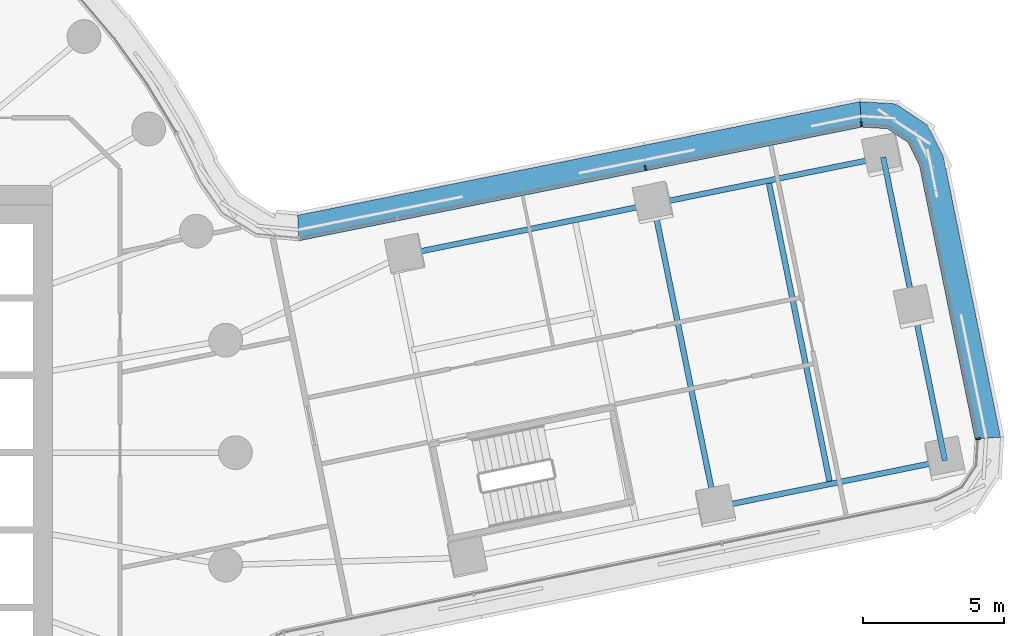
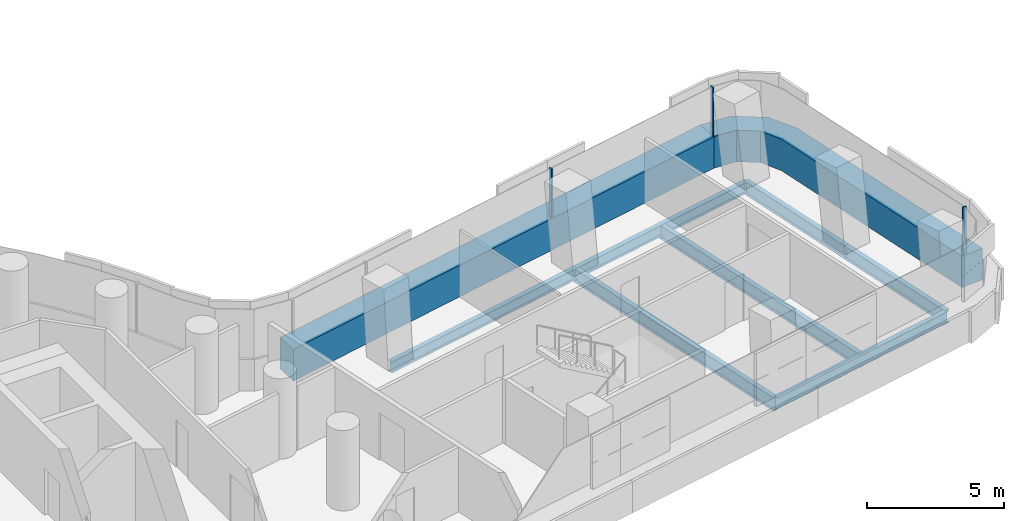
# One storey, part 12 of 31: 7 beams, 5 members, 2 elements without a shape of their own.
"""IFC4 building model written with IfcOpenShell, lengths in metres."""

from ifc_helpers import new_model, si_unit, direction, frame, origin, origin_2d, place, context, subcontext, project, spatial, polyline, rectangle, i_section, outline, extrude, material, layer, layer_set, material_profile, profile_set, type_object, element, aggregate, save


model = new_model("IFC4")

# Units and contexts
model_context = context("Model", 3, precision=1e-05, world=origin(), true_north=direction((0.0, 1.0)))
body_context = subcontext(model_context, "Body", "Model", "MODEL_VIEW")
ifc_project = project(units=[si_unit("LENGTHUNIT", "METRE"), si_unit("AREAUNIT", "SQUARE_METRE"), si_unit("VOLUMEUNIT", "CUBIC_METRE"), si_unit("PLANEANGLEUNIT", "RADIAN"), si_unit("MASSUNIT", "GRAM", prefix="KILO")], contexts=[model_context])

# Site, building, storey
site_placement = place(None, origin())
site = spatial("IfcSite", under=ifc_project, at=site_placement, CompositionType="ELEMENT")
building_placement = place(site_placement, origin())
building = spatial("IfcBuilding", under=site, at=building_placement, Name="Tamarind Cross Interchange Tower", CompositionType="ELEMENT")
storey_placement = place(building_placement, frame((0.0, 0.0, 75.25)))
storey = spatial("IfcBuildingStorey", under=building, at=storey_placement, Name="L17", CompositionType="ELEMENT", Elevation=75.25)

# Beams
ifc_material_1 = material(Name="Steel Q355B", Category="steel")
ifc_material_profile_1 = material_profile(ifc_material_1, i_section(OverallWidth=0.198974609375, OverallDepth=0.49609375, WebThickness=0.009033203125, FlangeThickness=0.013916015625, FilletRadius=0.012939453125, at=origin_2d()), Name="HN 496x199x9x14")
ifc_profile_set_1 = profile_set([ifc_material_profile_1], Name="Steel Q355B")
beam_type_1 = type_object("IfcBeamType", Name="Composite beam HN 496x199x9x14 Q355B", PredefinedType="BEAM", material=ifc_profile_set_1)
beam_1_placement = place(storey_placement, frame((48.2099609375, -0.283447265625, -0.387939453125), z_axis=(-0.979946462747, -0.199260959921, 0.0), x_axis=(0.199260959921, -0.979946462747, 0.0)))
element("IfcBeam", 1, at=beam_1_placement, inside=storey, type_object=beam_type_1, Name="Beam E-edgeem5", PredefinedType="BEAM", context=body_context, shape_type="SweptSolid", body=[
    extrude(i_section(OverallWidth=0.198974609375, OverallDepth=0.49609375, WebThickness=0.009033203125, FlangeThickness=0.013916015625, FilletRadius=0.012939453125, at=origin_2d()), origin(), (0.0, 0.0, 1.0), 8.327880859375),
])
beam_2_placement = place(storey_placement, frame((46.018310546875, 10.49609375, -0.387939453125), z_axis=(-0.979947626688, -0.199255235689, 0.0), x_axis=(0.199255235689, -0.979947626688, 0.0)))
element("IfcBeam", 2, at=beam_2_placement, inside=storey, type_object=beam_type_1, Name="Beam E-edgeep2", PredefinedType="BEAM", context=body_context, shape_type="SweptSolid", body=[
    extrude(i_section(OverallWidth=0.198974609375, OverallDepth=0.49609375, WebThickness=0.009033203125, FlangeThickness=0.013916015625, FilletRadius=0.012939453125, at=origin_2d()), origin(), (0.0, 0.0, 1.0), 8.328125),
])
beam_3_placement = place(storey_placement, frame((37.857177734375, 8.836669921875, -0.387939453125), z_axis=(-0.979948604035, -0.199250428984, 0.0), x_axis=(0.199250428984, -0.979948604035, 0.0)))
element("IfcBeam", 3, at=beam_3_placement, inside=storey, type_object=beam_type_1, Name="Beam E-edgeep3", PredefinedType="BEAM", context=body_context, shape_type="SweptSolid", body=[
    extrude(i_section(OverallWidth=0.198974609375, OverallDepth=0.49609375, WebThickness=0.009033203125, FlangeThickness=0.013916015625, FilletRadius=0.012939453125, at=origin_2d()), origin(), (0.0, 0.0, 1.0), 8.999755859375),
])
ifc_material_profile_2 = material_profile(ifc_material_1, i_section(OverallWidth=0.199951171875, OverallDepth=0.60009765625, WebThickness=0.010986328125, FlangeThickness=0.01708984375, FilletRadius=0.012939453125, at=origin_2d()), Name="HN 600x200x11x17")
ifc_profile_set_2 = profile_set([ifc_material_profile_2], Name="Steel Q355B")
beam_type_2 = type_object("IfcBeamType", Name="Composite beam HN 600x200x11x17 Q355B", PredefinedType="BEAM", material=ifc_profile_set_2)
beam_4_placement = place(storey_placement, frame((48.2099609375, -0.283447265625, -0.43994140625), z_axis=(-0.199222452549, 0.979954291995, 0.0), x_axis=(-0.979954291995, -0.199222452549, 0.0)))
element("IfcBeam", 4, at=beam_4_placement, inside=storey, type_object=beam_type_2, Name="Beam E-tip0", PredefinedType="BEAM", context=body_context, shape_type="SweptSolid", body=[
    extrude(i_section(OverallWidth=0.199951171875, OverallDepth=0.60009765625, WebThickness=0.010986328125, FlangeThickness=0.01708984375, FilletRadius=0.012939453125, at=origin_2d()), origin(), (0.0, 0.0, 1.0), 5.5),
])
beam_5_placement = place(storey_placement, frame((47.1142578125, 5.106201171875, -0.43994140625), z_axis=(-0.199256412643, 0.979947387374, 0.0), x_axis=(-0.979947387374, -0.199256412643, 0.0)))
element("IfcBeam", 5, at=beam_5_placement, inside=storey, type_object=beam_type_2, Name="Beam E-tip1", PredefinedType="BEAM", context=body_context, shape_type="SweptSolid", body=[
    extrude(i_section(OverallWidth=0.199951171875, OverallDepth=0.60009765625, WebThickness=0.010986328125, FlangeThickness=0.01708984375, FilletRadius=0.012939453125, at=origin_2d()), origin(), (0.0, 0.0, 1.0), 5.500244140625),
])
beam_6_placement = place(storey_placement, frame((40.049072265625, -1.94287109375, -0.43994140625), z_axis=(-0.199260746325, 0.97994650618, 0.0), x_axis=(-0.97994650618, -0.199260746325, 0.0)))
element("IfcBeam", 6, at=beam_6_placement, inside=storey, type_object=beam_type_2, Name="Beam E-x393", PredefinedType="BEAM", context=body_context, shape_type="SweptSolid", body=[
    extrude(i_section(OverallWidth=0.199951171875, OverallDepth=0.60009765625, WebThickness=0.010986328125, FlangeThickness=0.01708984375, FilletRadius=0.012939453125, at=origin_2d()), origin(), (0.0, 0.0, 1.0), 11.000244140625),
])
beam_7_placement = place(storey_placement, frame((44.12939453125, -1.113037109375, -0.43994140625), z_axis=(-0.199243766512, 0.979949958675, 0.0), x_axis=(-0.979949958675, -0.199243766512, 0.0)))
element("IfcBeam", 7, at=beam_7_placement, inside=storey, type_object=beam_type_2, Name="Beam E-x435", PredefinedType="BEAM", context=body_context, shape_type="SweptSolid", body=[
    extrude(i_section(OverallWidth=0.199951171875, OverallDepth=0.60009765625, WebThickness=0.010986328125, FlangeThickness=0.01708984375, FilletRadius=0.012939453125, at=origin_2d()), origin(), (0.0, 0.0, 1.0), 10.999755859375),
])

# Curtain wall, member
ifc_material_2 = material(Name="Aluminium 6063-T6", Category="aluminium")
ifc_layer = layer(ifc_material_2, 0.159912109375)
ifc_layer_set = layer_set([ifc_layer], Name="Aluminium 6063-T6")
curtain_wall_type = type_object("IfcCurtainWallType", Name="Office curtain wall, 9.0 m bays", PredefinedType="NOTDEFINED", material=ifc_layer_set)
curtain_wall_1_placement = place(storey_placement, origin())
curtain_wall_1 = element("IfcCurtainWall", 8, at=curtain_wall_1_placement, inside=storey, type_object=curtain_wall_type, Name="CWS-L17-08", PredefinedType="NOTDEFINED")
ifc_material_3 = material(Name="Aluminium and insulated spandrel panel", Category="aluminium")
member_type_1 = type_object("IfcMemberType", Name="Floor-edge blade transom", PredefinedType="USERDEFINED", material=ifc_material_3)
member_1_placement = place(storey_placement, origin())
member_1 = element("IfcMember", 9, at=member_1_placement, type_object=member_type_1, Name="CWT-L17-08", ObjectType="TRANSOM", PredefinedType="USERDEFINED", context=body_context, shape_type="SweptSolid", body=[
    extrude(outline(polyline([(49.278564453125, 0.484375), (47.3017578125, 10.206298828125), (46.8935546875, 11.025634765625), (46.164306640625, 11.508544921875), (45.25048828125, 11.564453125), (45.187744140625, 12.469970703125), (46.4599609375, 12.39208984375), (47.59130859375, 11.64306640625), (48.16015625, 10.501708984375), (50.18408203125, 0.547607421875), (49.278564453125, 0.484375)])), origin(), (0.0, 0.0, 1.0), 1.39990234375),
])

curtain_wall_2_placement = place(storey_placement, origin())
curtain_wall_2 = element("IfcCurtainWall", 10, at=curtain_wall_2_placement, inside=storey, type_object=curtain_wall_type, Name="CWS-L17-09", PredefinedType="NOTDEFINED")
member_2_placement = place(storey_placement, origin())
member_2 = element("IfcMember", 11, at=member_2_placement, type_object=member_type_1, Name="CWT-L17-09", ObjectType="TRANSOM", PredefinedType="USERDEFINED", context=body_context, shape_type="SweptSolid", body=[
    extrude(outline(polyline([(45.25048828125, 11.564453125), (25.258544921875, 7.525634765625), (25.211181640625, 8.434326171875), (45.187744140625, 12.469970703125), (45.25048828125, 11.564453125)])), origin(), (0.0, 0.0, 1.0), 1.39990234375),
])

# Member
ifc_material_profile_3 = material_profile(ifc_material_2, rectangle(XDim=0.06005859375, YDim=0.159912109375, at=origin_2d()), Name="Mullion CW1")
ifc_profile_set_3 = profile_set([ifc_material_profile_3], Name="Aluminium 6063-T6")
member_type_2 = type_object("IfcMemberType", Name="Mullion CW1", PredefinedType="MULLION", material=ifc_profile_set_3)
member_3_placement = place(storey_placement, frame((49.379150390625, 0.4912109375, 1.39990234375), z_axis=(0.0, 0.0, 1.0), x_axis=(-0.069631115598, 0.99757280824, 0.0)))
member_3 = element("IfcMember", 12, at=member_3_placement, type_object=member_type_2, Name="CWM-L17-08-00", PredefinedType="MULLION", context=body_context, shape_type="SweptSolid", body=[
    extrude(rectangle(XDim=0.06005859375, YDim=0.159912109375, at=origin_2d()), origin(), (0.0, 0.0, 1.0), 2.170166015625),
])

aggregate(curtain_wall_1, [member_3, member_1])

member_4_placement = place(storey_placement, frame((45.243408203125, 11.6650390625, 1.39990234375), z_axis=(0.0, 0.0, 1.0), x_axis=(-0.997616022677, -0.069009211684, 0.0)))
member_4 = element("IfcMember", 13, at=member_4_placement, type_object=member_type_2, Name="CWM-L17-09-00", PredefinedType="MULLION", context=body_context, shape_type="SweptSolid", body=[
    extrude(rectangle(XDim=0.06005859375, YDim=0.159912109375, at=origin_2d()), origin(), (0.0, 0.0, 1.0), 2.170166015625),
])

member_5_placement = place(storey_placement, frame((37.569091796875, 10.11474609375, 1.39990234375), z_axis=(0.0, 0.0, 1.0), x_axis=(-0.980197408272, -0.19802282903, 0.0)))
member_5 = element("IfcMember", 14, at=member_5_placement, type_object=member_type_2, Name="CWM-L17-09-01", PredefinedType="MULLION", context=body_context, shape_type="SweptSolid", body=[
    extrude(rectangle(XDim=0.06005859375, YDim=0.159912109375, at=origin_2d()), origin(), (0.0, 0.0, 1.0), 2.170166015625),
])

aggregate(curtain_wall_2, [member_4, member_5, member_2])

save(model, "model.ifc")
